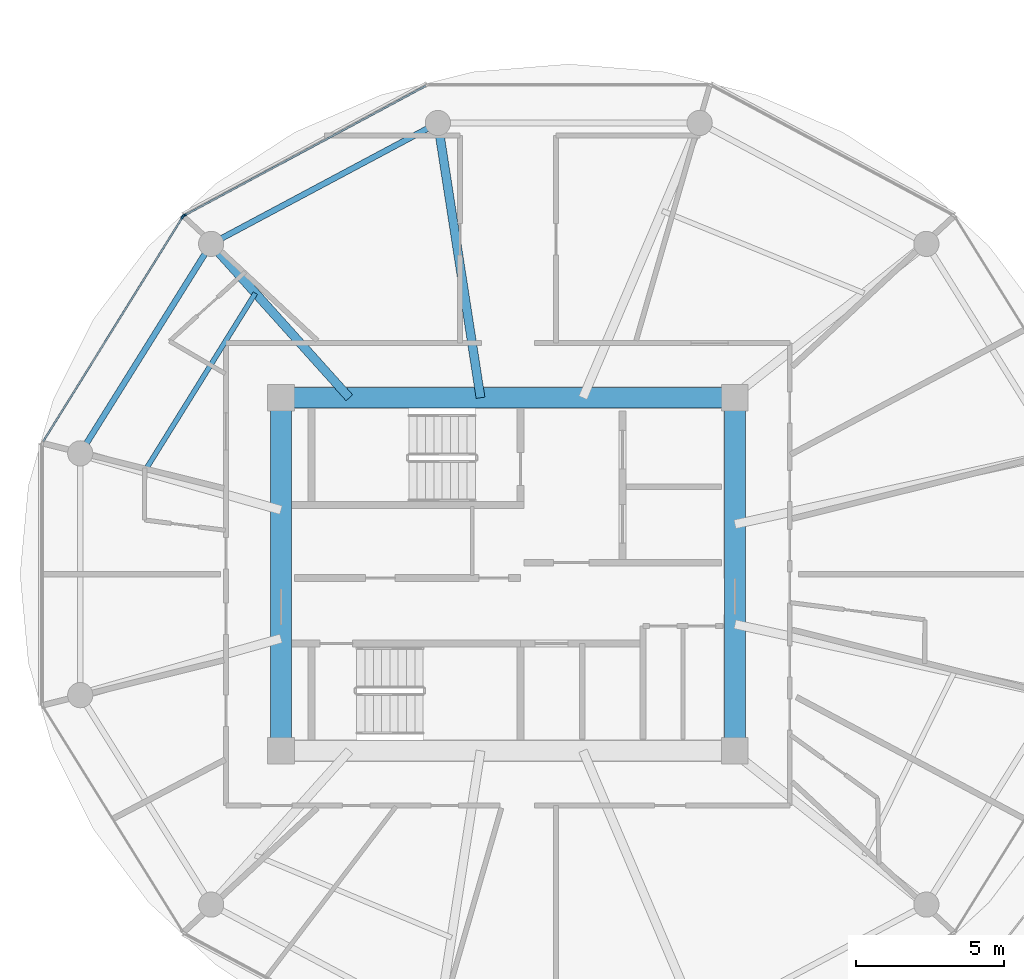
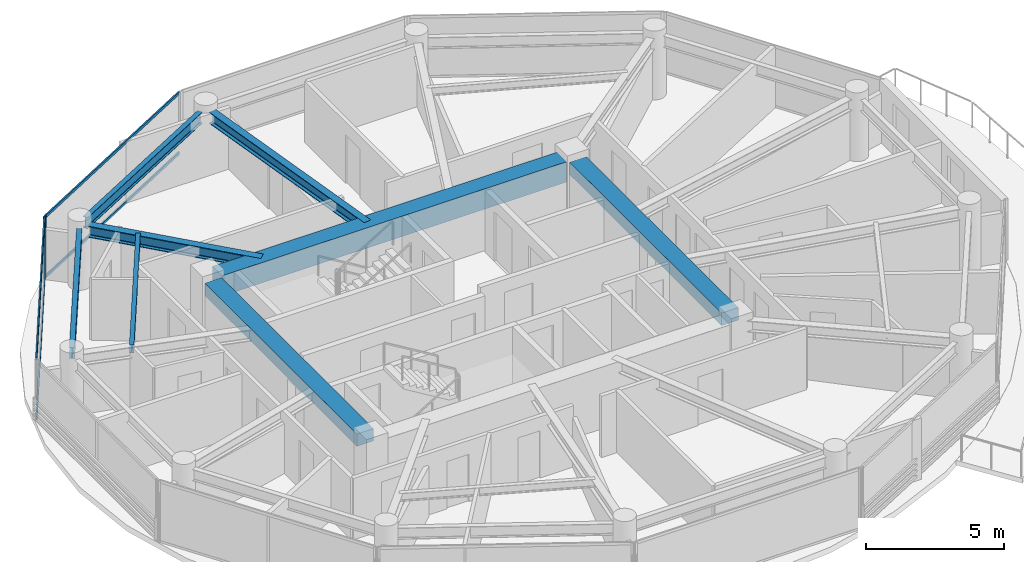
# One storey, part 4 of 22: 8 beams, 6 members, 2 elements without a shape of their own.
"""IFC4 building model written with IfcOpenShell, lengths in metres."""

from ifc_helpers import new_model, si_unit, direction, frame, origin, origin_2d, place, context, subcontext, project, spatial, rectangle, i_section, extrude, source, transform, mapped, material, layer, layer_set, material_profile, profile_set, type_object, type_shapes, element, aggregate, save


model = new_model("IFC4")

# Units and contexts
model_context = context("Model", 3, precision=1e-05, world=origin(), true_north=direction((0.0, 1.0)))
body_context = subcontext(model_context, "Body", "Model", "MODEL_VIEW")
ifc_project = project(units=[si_unit("LENGTHUNIT", "METRE"), si_unit("AREAUNIT", "SQUARE_METRE"), si_unit("VOLUMEUNIT", "CUBIC_METRE"), si_unit("PLANEANGLEUNIT", "RADIAN"), si_unit("MASSUNIT", "GRAM", prefix="KILO")], contexts=[model_context])

# Site, building, storey
site_placement = place(None, origin())
site = spatial("IfcSite", under=ifc_project, at=site_placement, CompositionType="ELEMENT")
building_placement = place(site_placement, origin())
building = spatial("IfcBuilding", under=site, at=building_placement, Name="Norrkilde Senior Care Towers", CompositionType="ELEMENT")
storey_placement = place(building_placement, frame((0.0, 0.0, 126.75)))
storey = spatial("IfcBuildingStorey", under=building, at=storey_placement, Name="L39", CompositionType="ELEMENT", Elevation=126.75)

# Beams
ifc_material_1 = material(Name="Concrete C60/75", Category="concrete")
ifc_material_profile_1 = material_profile(ifc_material_1, rectangle(XDim=0.699951171875, YDim=0.89990234375, at=origin_2d()), Name="RC BM 700x900")
ifc_profile_set_1 = profile_set([ifc_material_profile_1], Name="Concrete C60/75")
beam_type_1 = type_object("IfcBeamType", Name="Core Coupling Girder 700x900", PredefinedType="USERDEFINED", material=ifc_profile_set_1)
shared_shape_1 = source(origin(), body_context, "Body", "SweptSolid", [
    extrude(rectangle(XDim=0.699951171875, YDim=0.89990234375, at=origin_2d()), origin(), (0.0, 0.0, 1.0), 14.43994140625),
])
type_shapes(beam_type_1, [shared_shape_1])
beam_1_placement = place(storey_placement, frame((-35.219970703125, 5.949951171875, 2.280029296875), z_axis=(1.0, 0.0, 0.0), x_axis=(0.0, 1.0, 0.0)))
element("IfcBeam", 1, at=beam_1_placement, inside=storey, type_object=beam_type_1, Name="L39 Core W N Coupling Girder", ObjectType="GIRDER", PredefinedType="USERDEFINED", context=body_context, shape_type="MappedRepresentation", body=[
    mapped(shared_shape_1, transform((0.0, 0.0, 0.0), x_axis=(1.0, 0.0, 0.0), y_axis=(0.0, 1.0, 0.0), z_axis=(0.0, 0.0, 1.0), scale=1.0)),
])
ifc_material_profile_2 = material_profile(ifc_material_1, rectangle(XDim=0.699951171875, YDim=0.550048828125, at=origin_2d()), Name="RC BM 700x550")
ifc_profile_set_2 = profile_set([ifc_material_profile_2], Name="Concrete C60/75")
beam_type_2 = type_object("IfcBeamType", Name="Core Portal Coupling Beam 700x550", PredefinedType="USERDEFINED", material=ifc_profile_set_2)
shared_shape_2 = source(origin(), body_context, "Body", "SweptSolid", [
    extrude(rectangle(XDim=0.699951171875, YDim=0.550048828125, at=origin_2d()), origin(), (0.0, 0.0, 1.0), 11.0400390625),
])
type_shapes(beam_type_2, [shared_shape_2])
for number, where, z_axis, x_axis, name in (
    (2, (-35.64990234375, -5.52001953125, 2.455078125), (0.0, 1.0, 0.0), (-1.0, 0.0, 0.0), "L39 Core W W Coupling Girder"),
    (3, (-20.35009765625, -5.52001953125, 2.455078125), (0.0, 1.0, 0.0), (-1.0, 0.0, 0.0), "L39 Core W E Coupling Girder"),
):
    element("IfcBeam", number, at=place(storey_placement, frame(where, z_axis=z_axis, x_axis=x_axis)), inside=storey, type_object=beam_type_2, Name=name, ObjectType="GIRDER", PredefinedType="USERDEFINED", context=body_context, shape_type="MappedRepresentation", body=[
        mapped(shared_shape_2, transform((0.0, 0.0, 0.0), x_axis=(1.0, 0.0, 0.0), y_axis=(0.0, 1.0, 0.0), z_axis=(0.0, 0.0, 1.0), scale=1.0)),
    ])
ifc_material_2 = material(Name="Steel S355", Category="steel")
ifc_material_profile_3 = material_profile(ifc_material_2, i_section(OverallWidth=0.199951171875, OverallDepth=0.5, WebThickness=0.01025390625, FlangeThickness=0.01611328125, FilletRadius=0.02099609375, at=origin_2d()), Name="IPE 500")
ifc_profile_set_3 = profile_set([ifc_material_profile_3], Name="Steel S355")
beam_type_3 = type_object("IfcBeamType", Name="Perimeter Ring Spandrel Z2 IPE500", PredefinedType="SPANDREL", material=ifc_profile_set_3)
shared_shape_3 = source(origin(), body_context, "Body", "SweptSolid", [
    extrude(i_section(OverallWidth=0.199951171875, OverallDepth=0.5, WebThickness=0.01025390625, FlangeThickness=0.01611328125, FilletRadius=0.02099609375, at=origin_2d()), origin(), (0.0, 0.0, 1.0), 7.892333984375),
])
beam_2_placement = place(storey_placement, frame((-30.70263671875, 15.0322265625, 2.47998046875), z_axis=(-0.882350372282, -0.47059305194, 0.0), x_axis=(0.47059305194, -0.882350372282, 0.0)))
element("IfcBeam", 4, at=beam_2_placement, inside=storey, type_object=beam_type_3, Name="L39 Drum W Perimeter Spandrel 04", PredefinedType="SPANDREL", context=body_context, shape_type="MappedRepresentation", body=[
    mapped(shared_shape_3, transform((0.0, 0.0, 0.0), x_axis=(1.0, 0.0, 0.0), y_axis=(0.0, 1.0, 0.0), z_axis=(0.0, 0.0, 1.0), scale=1.0)),
])
ifc_material_profile_4 = material_profile(ifc_material_2, i_section(OverallWidth=0.300048828125, OverallDepth=0.5, WebThickness=0.014404296875, FlangeThickness=0.028076171875, FilletRadius=0.027099609375, at=origin_2d()), Name="HEB 500")
ifc_profile_set_4 = profile_set([ifc_material_profile_4], Name="Steel S355")
beam_type_4 = type_object("IfcBeamType", Name="Radial Floor Beam Z2 HEB500", PredefinedType="BEAM", material=ifc_profile_set_4)
shared_shape_4 = source(origin(), body_context, "Body", "SweptSolid", [
    extrude(i_section(OverallWidth=0.300048828125, OverallDepth=0.5, WebThickness=0.014404296875, FlangeThickness=0.028076171875, FilletRadius=0.027099609375, at=origin_2d()), origin(), (0.0, 0.0, 1.0), 8.989501953125),
])
beam_3_placement = place(storey_placement, frame((-28.924072265625, 5.949951171875, 2.47998046875), z_axis=(-0.153471298636, 0.988153105796, 0.0), x_axis=(-0.988153105796, -0.153471298636, 0.0)))
element("IfcBeam", 5, at=beam_3_placement, inside=storey, type_object=beam_type_4, Name="L39 Drum W Radial Floor Beam 04", PredefinedType="BEAM", context=body_context, shape_type="MappedRepresentation", body=[
    mapped(shared_shape_4, transform((0.0, 0.0, 0.0), x_axis=(1.0, 0.0, 0.0), y_axis=(0.0, 1.0, 0.0), z_axis=(0.0, 0.0, 1.0), scale=1.0)),
])
shared_shape_5 = source(origin(), body_context, "Body", "SweptSolid", [
    extrude(i_section(OverallWidth=0.199951171875, OverallDepth=0.5, WebThickness=0.01025390625, FlangeThickness=0.01611328125, FilletRadius=0.02099609375, at=origin_2d()), origin(), (0.0, 0.0, 1.0), 7.556396484375),
])
type_shapes(beam_type_3, [shared_shape_3, shared_shape_5])
beam_4_placement = place(storey_placement, frame((-38.210205078125, 10.810546875, 2.47998046875), z_axis=(-0.530004748437, -0.847994673706, 0.0), x_axis=(0.847994673706, -0.530004748437, 0.0)))
element("IfcBeam", 6, at=beam_4_placement, inside=storey, type_object=beam_type_3, Name="L39 Drum W Perimeter Spandrel 05", PredefinedType="SPANDREL", context=body_context, shape_type="MappedRepresentation", body=[
    mapped(shared_shape_5, transform((0.0, 0.0, 0.0), x_axis=(1.0, 0.0, 0.0), y_axis=(0.0, 1.0, 0.0), z_axis=(0.0, 0.0, 1.0), scale=1.0)),
])
shared_shape_6 = source(origin(), body_context, "Body", "SweptSolid", [
    extrude(i_section(OverallWidth=0.300048828125, OverallDepth=0.5, WebThickness=0.014404296875, FlangeThickness=0.028076171875, FilletRadius=0.027099609375, at=origin_2d()), origin(), (0.0, 0.0, 1.0), 6.587890625),
])
type_shapes(beam_type_4, [shared_shape_4, shared_shape_6])
beam_5_placement = place(storey_placement, frame((-33.345947265625, 5.949951171875, 2.47998046875), z_axis=(-0.668315438605, 0.743877997068, 0.0), x_axis=(-0.743877997068, -0.668315438605, 0.0)))
element("IfcBeam", 7, at=beam_5_placement, inside=storey, type_object=beam_type_4, Name="L39 Drum W Radial Floor Beam 05", PredefinedType="BEAM", context=body_context, shape_type="MappedRepresentation", body=[
    mapped(shared_shape_6, transform((0.0, 0.0, 0.0), x_axis=(1.0, 0.0, 0.0), y_axis=(0.0, 1.0, 0.0), z_axis=(0.0, 0.0, 1.0), scale=1.0)),
])
ifc_material_profile_5 = material_profile(ifc_material_2, i_section(OverallWidth=0.169921875, OverallDepth=0.360107421875, WebThickness=0.008056640625, FlangeThickness=0.0126953125, FilletRadius=0.01806640625, at=origin_2d()), Name="IPE 360")
ifc_profile_set_5 = profile_set([ifc_material_profile_5], Name="Steel S355")
beam_type_5 = type_object("IfcBeamType", Name="Secondary Floor Joist IPE360", PredefinedType="JOIST", material=ifc_profile_set_5)
shared_shape_7 = source(origin(), body_context, "Body", "SweptSolid", [
    extrude(i_section(OverallWidth=0.169921875, OverallDepth=0.360107421875, WebThickness=0.008056640625, FlangeThickness=0.0126953125, FilletRadius=0.01806640625, at=origin_2d()), origin(), (0.0, 0.0, 1.0), 7.080078125),
])
type_shapes(beam_type_5, [shared_shape_7])
beam_6_placement = place(storey_placement, frame((-36.514892578125, 9.47705078125, 2.550048828125), z_axis=(-0.527961009189, -0.849268610497, 0.0), x_axis=(0.849268610497, -0.527961009189, 0.0)))
element("IfcBeam", 8, at=beam_6_placement, inside=storey, type_object=beam_type_5, Name="L39 Drum W Secondary Floor Joist 2", PredefinedType="JOIST", context=body_context, shape_type="MappedRepresentation", body=[
    mapped(shared_shape_7, transform((0.0, 0.0, 0.0), x_axis=(1.0, 0.0, 0.0), y_axis=(0.0, 1.0, 0.0), z_axis=(0.0, 0.0, 1.0), scale=1.0)),
])

# Curtain wall, member
ifc_material_3 = material(Name="Triple Low-E Insulated Glazing", Category="glass")
ifc_layer = layer(ifc_material_3, 0.195068359375)
ifc_layer_set = layer_set([ifc_layer], Name="Triple Low-E Insulated Glazing")
curtain_wall_type = type_object("IfcCurtainWallType", Name="CW3 Zone 2 Assisted Living Curtain Wall", PredefinedType="NOTDEFINED", material=ifc_layer_set)
curtain_wall_1_placement = place(storey_placement, origin())
curtain_wall_1 = element("IfcCurtainWall", 9, at=curtain_wall_1_placement, inside=storey, type_object=curtain_wall_type, Name="L39 Drum W Curtain Wall 03", PredefinedType="NOTDEFINED")
ifc_material_4 = material(Name="Anodised Aluminium", Category="aluminium")
ifc_material_profile_6 = material_profile(ifc_material_4, rectangle(XDim=0.06494140625, YDim=0.159912109375, at=origin_2d()), Name="ALU MULL 65x160")
ifc_profile_set_6 = profile_set([ifc_material_profile_6], Name="Anodised Aluminium")
member_type_1 = type_object("IfcMemberType", Name="Curtain Wall Mullion Z1-Z2 65x160", PredefinedType="MULLION", material=ifc_profile_set_6)
shared_shape_8 = source(origin(), body_context, "Body", "SweptSolid", [
    extrude(rectangle(XDim=0.06494140625, YDim=0.159912109375, at=origin_2d()), origin(), (0.0, 0.0, 1.0), 2.72998046875),
])
type_shapes(member_type_1, [shared_shape_8])
member_1_placement = place(storey_placement, frame((-38.91796875, 12.0927734375, 0.0), z_axis=(0.0, 0.0, 1.0), x_axis=(-0.472769402511, 0.881186184668, 0.0)))
member_1 = element("IfcMember", 10, at=member_1_placement, type_object=member_type_1, Name="CW-3 mullion 1", PredefinedType="MULLION", context=body_context, shape_type="MappedRepresentation", body=[
    mapped(shared_shape_8, transform((0.0, 0.0, 0.0), x_axis=(1.0, 0.0, 0.0), y_axis=(0.0, 1.0, 0.0), z_axis=(0.0, 0.0, 1.0), scale=1.0)),
])

# Curtain wall, members
curtain_wall_2_placement = place(storey_placement, origin())
curtain_wall_2 = element("IfcCurtainWall", 11, at=curtain_wall_2_placement, inside=storey, type_object=curtain_wall_type, Name="L39 Drum W Curtain Wall 04", PredefinedType="NOTDEFINED")
member_2_placement = place(storey_placement, frame((-38.9638671875, 12.0498046875, 0.0), z_axis=(0.0, 0.0, 1.0), x_axis=(-0.849410171862, 0.527733228002, 0.0)))
member_2 = element("IfcMember", 12, at=member_2_placement, type_object=member_type_1, Name="CW-3 mullion 2", PredefinedType="MULLION", context=body_context, shape_type="MappedRepresentation", body=[
    mapped(shared_shape_8, transform((0.0, 0.0, 0.0), x_axis=(1.0, 0.0, 0.0), y_axis=(0.0, 1.0, 0.0), z_axis=(0.0, 0.0, 1.0), scale=1.0)),
])
ifc_material_profile_7 = material_profile(ifc_material_4, rectangle(XDim=0.06005859375, YDim=0.1201171875, at=origin_2d()), Name="ALU TRAN 60x120")
ifc_profile_set_7 = profile_set([ifc_material_profile_7], Name="Anodised Aluminium")
member_type_2 = type_object("IfcMemberType", Name="Curtain Wall Transom Typical 60x120", PredefinedType="USERDEFINED", material=ifc_profile_set_7)
shared_shape_9 = source(origin(), body_context, "Body", "SweptSolid", [
    extrude(rectangle(XDim=0.06005859375, YDim=0.1201171875, at=origin_2d()), origin(), (0.0, 0.0, 1.0), 8.88427734375),
])
member_3_placement = place(storey_placement, frame((-43.66943359375, 4.475830078125, 0.030029296875), z_axis=(0.527729466743, 0.849412508697, 0.0), x_axis=(-0.849412508697, 0.527729466743, 0.0)))
member_3 = element("IfcMember", 13, at=member_3_placement, type_object=member_type_2, Name="CW-3 transom 1.1", ObjectType="TRANSOM", PredefinedType="USERDEFINED", context=body_context, shape_type="MappedRepresentation", body=[
    mapped(shared_shape_9, transform((0.0, 0.0, 0.0), x_axis=(1.0, 0.0, 0.0), y_axis=(0.0, 1.0, 0.0), z_axis=(0.0, 0.0, 1.0), scale=1.0)),
])
member_4_placement = place(storey_placement, frame((-43.66943359375, 4.475830078125, 2.699951171875), z_axis=(0.527729466743, 0.849412508697, 0.0), x_axis=(-0.849412508697, 0.527729466743, 0.0)))
member_4 = element("IfcMember", 14, at=member_4_placement, type_object=member_type_2, Name="CW-3 transom 1.2", ObjectType="TRANSOM", PredefinedType="USERDEFINED", context=body_context, shape_type="MappedRepresentation", body=[
    mapped(shared_shape_9, transform((0.0, 0.0, 0.0), x_axis=(1.0, 0.0, 0.0), y_axis=(0.0, 1.0, 0.0), z_axis=(0.0, 0.0, 1.0), scale=1.0)),
])
aggregate(curtain_wall_2, [member_2, member_3, member_4])

# Member
shared_shape_10 = source(origin(), body_context, "Body", "SweptSolid", [
    extrude(rectangle(XDim=0.06005859375, YDim=0.1201171875, at=origin_2d()), origin(), (0.0, 0.0, 1.0), 9.220458984375),
])
type_shapes(member_type_2, [shared_shape_9, shared_shape_10])
member_5_placement = place(storey_placement, frame((-38.889404296875, 12.108154296875, 0.030029296875), z_axis=(0.881188517866, 0.472765053681, 0.0), x_axis=(-0.472765053681, 0.881188517866, 0.0)))
member_5 = element("IfcMember", 15, at=member_5_placement, type_object=member_type_2, Name="CW-3 transom 1.1", ObjectType="TRANSOM", PredefinedType="USERDEFINED", context=body_context, shape_type="MappedRepresentation", body=[
    mapped(shared_shape_10, transform((0.0, 0.0, 0.0), x_axis=(1.0, 0.0, 0.0), y_axis=(0.0, 1.0, 0.0), z_axis=(0.0, 0.0, 1.0), scale=1.0)),
])

member_6_placement = place(storey_placement, frame((-38.889404296875, 12.108154296875, 2.699951171875), z_axis=(0.881188517866, 0.472765053681, 0.0), x_axis=(-0.472765053681, 0.881188517866, 0.0)))
member_6 = element("IfcMember", 16, at=member_6_placement, type_object=member_type_2, Name="CW-3 transom 1.2", ObjectType="TRANSOM", PredefinedType="USERDEFINED", context=body_context, shape_type="MappedRepresentation", body=[
    mapped(shared_shape_10, transform((0.0, 0.0, 0.0), x_axis=(1.0, 0.0, 0.0), y_axis=(0.0, 1.0, 0.0), z_axis=(0.0, 0.0, 1.0), scale=1.0)),
])

aggregate(curtain_wall_1, [member_1, member_5, member_6])

save(model, "model.ifc")
